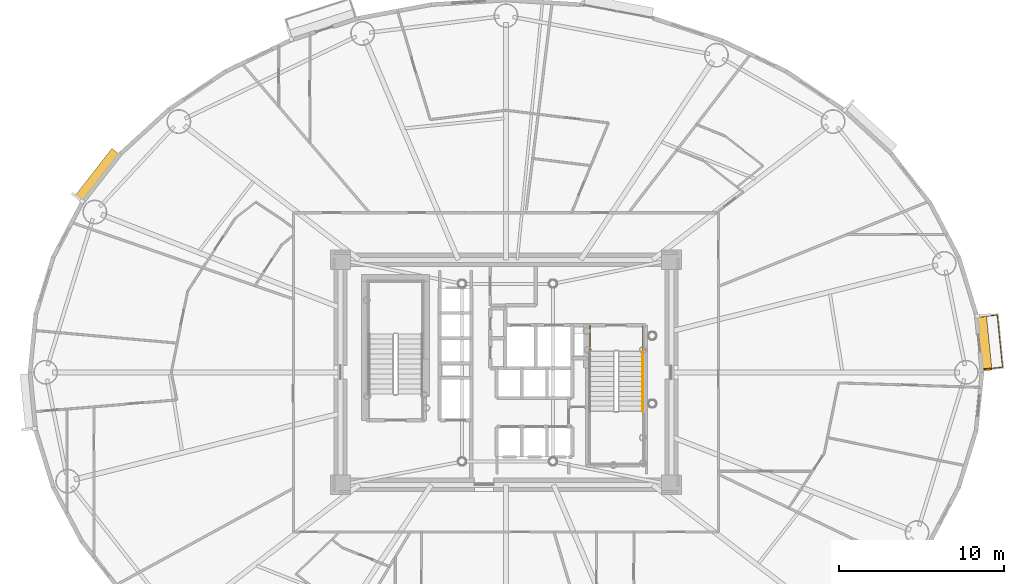
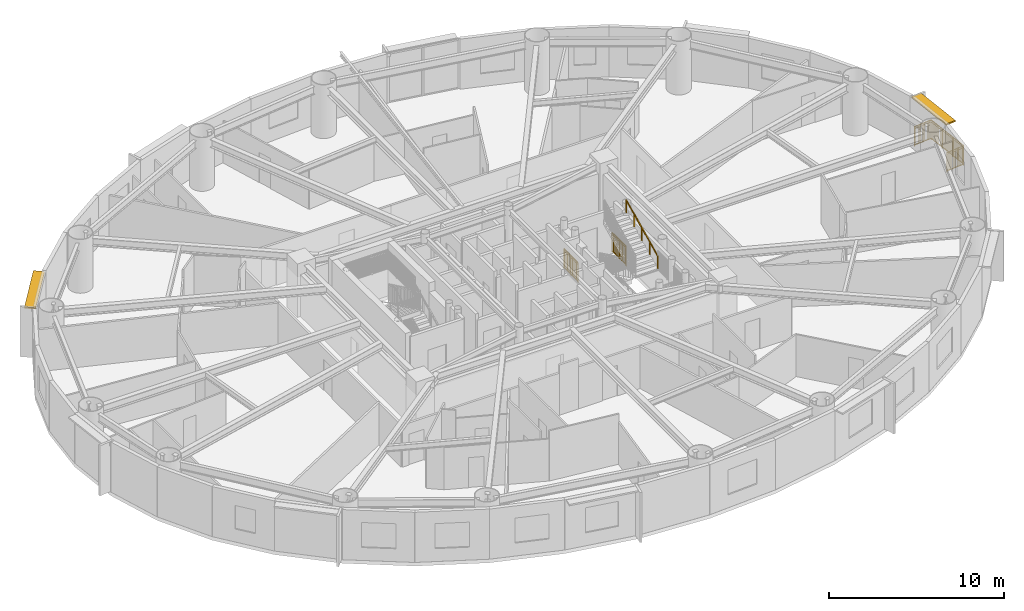
# One storey, part 17 of 18: 4 railings, 2 shading devices.
"""IFC4 building model written with IfcOpenShell, lengths in metres."""

from ifc_helpers import new_model, si_unit, direction, frame, origin, origin_2d, place, context, subcontext, project, spatial, rectangle, extrude, source, transform, mapped, material, layer, layer_set, type_object, element, save


model = new_model("IFC4")

# Units and contexts
model_context = context("Model", 3, precision=1e-05, world=origin(), true_north=direction((0.0, 1.0)))
body_context = subcontext(model_context, "Body", "Model", "MODEL_VIEW")
ifc_project = project(units=[si_unit("LENGTHUNIT", "METRE"), si_unit("AREAUNIT", "SQUARE_METRE"), si_unit("VOLUMEUNIT", "CUBIC_METRE"), si_unit("PLANEANGLEUNIT", "RADIAN"), si_unit("MASSUNIT", "GRAM", prefix="KILO")], contexts=[model_context])

# Site, building, storey
site_placement = place(None, origin())
site = spatial("IfcSite", under=ifc_project, at=site_placement, CompositionType="ELEMENT")
building_placement = place(site_placement, origin())
building = spatial("IfcBuilding", under=site, at=building_placement, Name="Linh Dai School and Residence Tower", CompositionType="ELEMENT")
storey_placement = place(building_placement, frame((0.0, 0.0, 104.699951171875)))
storey = spatial("IfcBuildingStorey", under=building, at=storey_placement, Name="L24", CompositionType="ELEMENT", Elevation=104.699951171875)

# Railing
ifc_material_1 = material(Name="Structural Steel S355JR", Category="steel")
railing_type_1 = type_object("IfcRailingType", Name="RL-BAL-1400", PredefinedType="BALUSTRADE", material=ifc_material_1)
shared_shape_1 = source(origin(), body_context, "Body", "SweptSolid", [
    extrude(rectangle(XDim=0.048095703125, YDim=0.048095703125, at=origin_2d()), frame((0.0, 0.0, 1.3759765625), z_axis=(0.994994077886, 0.099933903019, 0.0), x_axis=(-0.099933903019, 0.994994077886, 0.0)), (0.0, 0.0, 1.0), 1.179931640625),
    extrude(rectangle(XDim=0.048095703125, YDim=0.048095703125, at=origin_2d()), frame((0.0, 0.0, 0.10009765625), z_axis=(0.994994077886, 0.099933903019, 0.0), x_axis=(-0.099933903019, 0.994994077886, 0.0)), (0.0, 0.0, 1.0), 1.179931640625),
    extrude(rectangle(XDim=0.030029296875, YDim=0.030029296875, at=origin_2d()), frame((0.0, 0.0, 1.239990234375), z_axis=(0.994994077886, 0.099933903019, 0.0), x_axis=(-0.099933903019, 0.994994077886, 0.0)), (0.0, 0.0, 1.0), 1.179931640625),
    extrude(rectangle(XDim=0.02001953125, YDim=0.02001953125, at=origin_2d()), frame((0.09033203125, 0.009033203125, 0.10009765625)), (0.0, 0.0, 1.0), 1.251708984375),
    extrude(rectangle(XDim=0.02001953125, YDim=0.02001953125, at=origin_2d()), frame((0.1806640625, 0.01806640625, 0.10009765625)), (0.0, 0.0, 1.0), 1.251708984375),
    extrude(rectangle(XDim=0.02001953125, YDim=0.02001953125, at=origin_2d()), frame((0.27099609375, 0.027099609375, 0.10009765625)), (0.0, 0.0, 1.0), 1.251708984375),
    extrude(rectangle(XDim=0.02001953125, YDim=0.02001953125, at=origin_2d()), frame((0.361328125, 0.036376953125, 0.10009765625)), (0.0, 0.0, 1.0), 1.251708984375),
    extrude(rectangle(XDim=0.02001953125, YDim=0.02001953125, at=origin_2d()), frame((0.45166015625, 0.04541015625, 0.10009765625)), (0.0, 0.0, 1.0), 1.251708984375),
    extrude(rectangle(XDim=0.02001953125, YDim=0.02001953125, at=origin_2d()), frame((0.5419921875, 0.054443359375, 0.10009765625)), (0.0, 0.0, 1.0), 1.251708984375),
    extrude(rectangle(XDim=0.02001953125, YDim=0.02001953125, at=origin_2d()), frame((0.632080078125, 0.0634765625, 0.10009765625)), (0.0, 0.0, 1.0), 1.251708984375),
    extrude(rectangle(XDim=0.02001953125, YDim=0.02001953125, at=origin_2d()), frame((0.722412109375, 0.072509765625, 0.10009765625)), (0.0, 0.0, 1.0), 1.251708984375),
    extrude(rectangle(XDim=0.02001953125, YDim=0.02001953125, at=origin_2d()), frame((0.812744140625, 0.08154296875, 0.10009765625)), (0.0, 0.0, 1.0), 1.251708984375),
    extrude(rectangle(XDim=0.02001953125, YDim=0.02001953125, at=origin_2d()), frame((0.903076171875, 0.0908203125, 0.10009765625)), (0.0, 0.0, 1.0), 1.251708984375),
    extrude(rectangle(XDim=0.02001953125, YDim=0.02001953125, at=origin_2d()), frame((0.993408203125, 0.099853515625, 0.10009765625)), (0.0, 0.0, 1.0), 1.251708984375),
    extrude(rectangle(XDim=0.02001953125, YDim=0.02001953125, at=origin_2d()), frame((1.083740234375, 0.10888671875, 0.10009765625)), (0.0, 0.0, 1.0), 1.251708984375),
    extrude(rectangle(XDim=0.048095703125, YDim=0.048095703125, at=origin_2d()), frame((1.174072265625, 0.117919921875, 1.3759765625), z_axis=(0.100029373588, -0.994984484512, 0.0), x_axis=(0.994984484512, 0.100029373588, 0.0)), (0.0, 0.0, 1.0), 3.1728515625),
    extrude(rectangle(XDim=0.048095703125, YDim=0.048095703125, at=origin_2d()), frame((1.174072265625, 0.117919921875, 0.10009765625), z_axis=(0.100029373588, -0.994984484512, 0.0), x_axis=(0.994984484512, 0.100029373588, 0.0)), (0.0, 0.0, 1.0), 3.1728515625),
    extrude(rectangle(XDim=0.030029296875, YDim=0.030029296875, at=origin_2d()), frame((1.174072265625, 0.117919921875, 1.239990234375), z_axis=(0.100029373588, -0.994984484512, 0.0), x_axis=(0.994984484512, 0.100029373588, 0.0)), (0.0, 0.0, 1.0), 3.1728515625),
    extrude(rectangle(XDim=0.02001953125, YDim=0.02001953125, at=origin_2d()), frame((1.18359375, 0.022216796875, 0.10009765625)), (0.0, 0.0, 1.0), 1.251708984375),
    extrude(rectangle(XDim=0.02001953125, YDim=0.02001953125, at=origin_2d()), frame((1.193359375, -0.073486328125, 0.10009765625)), (0.0, 0.0, 1.0), 1.251708984375),
    extrude(rectangle(XDim=0.02001953125, YDim=0.02001953125, at=origin_2d()), frame((1.202880859375, -0.169189453125, 0.10009765625)), (0.0, 0.0, 1.0), 1.251708984375),
    extrude(rectangle(XDim=0.02001953125, YDim=0.02001953125, at=origin_2d()), frame((1.212646484375, -0.2646484375, 0.10009765625)), (0.0, 0.0, 1.0), 1.251708984375),
    extrude(rectangle(XDim=0.02001953125, YDim=0.02001953125, at=origin_2d()), frame((1.22216796875, -0.3603515625, 0.10009765625)), (0.0, 0.0, 1.0), 1.251708984375),
    extrude(rectangle(XDim=0.02001953125, YDim=0.02001953125, at=origin_2d()), frame((1.231689453125, -0.4560546875, 0.10009765625)), (0.0, 0.0, 1.0), 1.251708984375),
    extrude(rectangle(XDim=0.02001953125, YDim=0.02001953125, at=origin_2d()), frame((1.241455078125, -0.5517578125, 0.10009765625)), (0.0, 0.0, 1.0), 1.251708984375),
    extrude(rectangle(XDim=0.02001953125, YDim=0.02001953125, at=origin_2d()), frame((1.2509765625, -0.6474609375, 0.10009765625)), (0.0, 0.0, 1.0), 1.251708984375),
    extrude(rectangle(XDim=0.02001953125, YDim=0.02001953125, at=origin_2d()), frame((1.2607421875, -0.7431640625, 0.10009765625)), (0.0, 0.0, 1.0), 1.251708984375),
    extrude(rectangle(XDim=0.02001953125, YDim=0.02001953125, at=origin_2d()), frame((1.270263671875, -0.838623046875, 0.10009765625)), (0.0, 0.0, 1.0), 1.251708984375),
    extrude(rectangle(XDim=0.02001953125, YDim=0.02001953125, at=origin_2d()), frame((1.28955078125, -1.030029296875, 0.10009765625)), (0.0, 0.0, 1.0), 1.251708984375),
    extrude(rectangle(XDim=0.02001953125, YDim=0.02001953125, at=origin_2d()), frame((1.299072265625, -1.125732421875, 0.10009765625)), (0.0, 0.0, 1.0), 1.251708984375),
    extrude(rectangle(XDim=0.02001953125, YDim=0.02001953125, at=origin_2d()), frame((1.308837890625, -1.221435546875, 0.10009765625)), (0.0, 0.0, 1.0), 1.251708984375),
    extrude(rectangle(XDim=0.02001953125, YDim=0.02001953125, at=origin_2d()), frame((1.318359375, -1.317138671875, 0.10009765625)), (0.0, 0.0, 1.0), 1.251708984375),
    extrude(rectangle(XDim=0.02001953125, YDim=0.02001953125, at=origin_2d()), frame((1.327880859375, -1.412841796875, 0.10009765625)), (0.0, 0.0, 1.0), 1.251708984375),
    extrude(rectangle(XDim=0.02001953125, YDim=0.02001953125, at=origin_2d()), frame((1.337646484375, -1.50830078125, 0.10009765625)), (0.0, 0.0, 1.0), 1.251708984375),
    extrude(rectangle(XDim=0.02001953125, YDim=0.02001953125, at=origin_2d()), frame((1.34716796875, -1.60400390625, 0.10009765625)), (0.0, 0.0, 1.0), 1.251708984375),
    extrude(rectangle(XDim=0.02001953125, YDim=0.02001953125, at=origin_2d()), frame((1.356689453125, -1.69970703125, 0.10009765625)), (0.0, 0.0, 1.0), 1.251708984375),
    extrude(rectangle(XDim=0.02001953125, YDim=0.02001953125, at=origin_2d()), frame((1.366455078125, -1.79541015625, 0.10009765625)), (0.0, 0.0, 1.0), 1.251708984375),
    extrude(rectangle(XDim=0.02001953125, YDim=0.02001953125, at=origin_2d()), frame((1.3759765625, -1.89111328125, 0.10009765625)), (0.0, 0.0, 1.0), 1.251708984375),
    extrude(rectangle(XDim=0.02001953125, YDim=0.02001953125, at=origin_2d()), frame((1.395263671875, -2.08251953125, 0.10009765625)), (0.0, 0.0, 1.0), 1.251708984375),
    extrude(rectangle(XDim=0.02001953125, YDim=0.02001953125, at=origin_2d()), frame((1.40478515625, -2.177978515625, 0.10009765625)), (0.0, 0.0, 1.0), 1.251708984375),
    extrude(rectangle(XDim=0.02001953125, YDim=0.02001953125, at=origin_2d()), frame((1.41455078125, -2.273681640625, 0.10009765625)), (0.0, 0.0, 1.0), 1.251708984375),
    extrude(rectangle(XDim=0.02001953125, YDim=0.02001953125, at=origin_2d()), frame((1.424072265625, -2.369384765625, 0.10009765625)), (0.0, 0.0, 1.0), 1.251708984375),
    extrude(rectangle(XDim=0.02001953125, YDim=0.02001953125, at=origin_2d()), frame((1.433837890625, -2.465087890625, 0.10009765625)), (0.0, 0.0, 1.0), 1.251708984375),
    extrude(rectangle(XDim=0.02001953125, YDim=0.02001953125, at=origin_2d()), frame((1.443359375, -2.560791015625, 0.10009765625)), (0.0, 0.0, 1.0), 1.251708984375),
    extrude(rectangle(XDim=0.02001953125, YDim=0.02001953125, at=origin_2d()), frame((1.452880859375, -2.656494140625, 0.10009765625)), (0.0, 0.0, 1.0), 1.251708984375),
    extrude(rectangle(XDim=0.02001953125, YDim=0.02001953125, at=origin_2d()), frame((1.462646484375, -2.751953125, 0.10009765625)), (0.0, 0.0, 1.0), 1.251708984375),
    extrude(rectangle(XDim=0.02001953125, YDim=0.02001953125, at=origin_2d()), frame((1.47216796875, -2.84765625, 0.10009765625)), (0.0, 0.0, 1.0), 1.251708984375),
    extrude(rectangle(XDim=0.02001953125, YDim=0.02001953125, at=origin_2d()), frame((1.48193359375, -2.943359375, 0.10009765625)), (0.0, 0.0, 1.0), 1.251708984375),
    extrude(rectangle(XDim=0.048095703125, YDim=0.048095703125, at=origin_2d()), frame((1.491455078125, -3.0390625, 1.3759765625), z_axis=(-0.99497348416, -0.100138732862, 0.0), x_axis=(0.100138732862, -0.99497348416, 0.0)), (0.0, 0.0, 1.0), 1.179931640625),
    extrude(rectangle(XDim=0.048095703125, YDim=0.048095703125, at=origin_2d()), frame((1.491455078125, -3.0390625, 0.10009765625), z_axis=(-0.99497348416, -0.100138732862, 0.0), x_axis=(0.100138732862, -0.99497348416, 0.0)), (0.0, 0.0, 1.0), 1.179931640625),
    extrude(rectangle(XDim=0.030029296875, YDim=0.030029296875, at=origin_2d()), frame((1.491455078125, -3.0390625, 1.239990234375), z_axis=(-0.99497348416, -0.100138732862, 0.0), x_axis=(0.100138732862, -0.99497348416, 0.0)), (0.0, 0.0, 1.0), 1.179931640625),
    extrude(rectangle(XDim=0.02001953125, YDim=0.02001953125, at=origin_2d()), frame((1.401123046875, -3.048095703125, 0.10009765625)), (0.0, 0.0, 1.0), 1.251708984375),
    extrude(rectangle(XDim=0.02001953125, YDim=0.02001953125, at=origin_2d()), frame((1.310791015625, -3.05712890625, 0.10009765625)), (0.0, 0.0, 1.0), 1.251708984375),
    extrude(rectangle(XDim=0.02001953125, YDim=0.02001953125, at=origin_2d()), frame((1.220458984375, -3.06640625, 0.10009765625)), (0.0, 0.0, 1.0), 1.251708984375),
    extrude(rectangle(XDim=0.02001953125, YDim=0.02001953125, at=origin_2d()), frame((1.130126953125, -3.075439453125, 0.10009765625)), (0.0, 0.0, 1.0), 1.251708984375),
    extrude(rectangle(XDim=0.02001953125, YDim=0.02001953125, at=origin_2d()), frame((1.039794921875, -3.08447265625, 0.10009765625)), (0.0, 0.0, 1.0), 1.251708984375),
    extrude(rectangle(XDim=0.02001953125, YDim=0.02001953125, at=origin_2d()), frame((0.949462890625, -3.093505859375, 0.10009765625)), (0.0, 0.0, 1.0), 1.251708984375),
    extrude(rectangle(XDim=0.02001953125, YDim=0.02001953125, at=origin_2d()), frame((0.859375, -3.102783203125, 0.10009765625)), (0.0, 0.0, 1.0), 1.251708984375),
    extrude(rectangle(XDim=0.02001953125, YDim=0.02001953125, at=origin_2d()), frame((0.76904296875, -3.11181640625, 0.10009765625)), (0.0, 0.0, 1.0), 1.251708984375),
    extrude(rectangle(XDim=0.02001953125, YDim=0.02001953125, at=origin_2d()), frame((0.6787109375, -3.120849609375, 0.10009765625)), (0.0, 0.0, 1.0), 1.251708984375),
    extrude(rectangle(XDim=0.02001953125, YDim=0.02001953125, at=origin_2d()), frame((0.58837890625, -3.1298828125, 0.10009765625)), (0.0, 0.0, 1.0), 1.251708984375),
    extrude(rectangle(XDim=0.02001953125, YDim=0.02001953125, at=origin_2d()), frame((0.498046875, -3.13916015625, 0.10009765625)), (0.0, 0.0, 1.0), 1.251708984375),
    extrude(rectangle(XDim=0.02001953125, YDim=0.02001953125, at=origin_2d()), frame((0.40771484375, -3.148193359375, 0.10009765625)), (0.0, 0.0, 1.0), 1.251708984375),
    extrude(rectangle(XDim=0.0419921875, YDim=0.0419921875, at=origin_2d()), origin(), (0.0, 0.0, 1.0), 1.3759765625),
    extrude(rectangle(XDim=0.0419921875, YDim=0.0419921875, at=origin_2d()), frame((1.174072265625, 0.117919921875, 0.0)), (0.0, 0.0, 1.0), 1.3759765625),
    extrude(rectangle(XDim=0.0419921875, YDim=0.0419921875, at=origin_2d()), frame((1.27978515625, -0.934326171875, 0.0)), (0.0, 0.0, 1.0), 1.3759765625),
    extrude(rectangle(XDim=0.0419921875, YDim=0.0419921875, at=origin_2d()), frame((1.3857421875, -1.98681640625, 0.0)), (0.0, 0.0, 1.0), 1.3759765625),
    extrude(rectangle(XDim=0.0419921875, YDim=0.0419921875, at=origin_2d()), frame((1.491455078125, -3.0390625, 0.0)), (0.0, 0.0, 1.0), 1.3759765625),
    extrude(rectangle(XDim=0.0419921875, YDim=0.0419921875, at=origin_2d()), frame((0.3173828125, -3.1572265625, 0.0)), (0.0, 0.0, 1.0), 1.3759765625),
])
railing_1_placement = place(storey_placement, frame((64.524169921875, 30.3447265625, 0.0)))
element("IfcRailing", 1, at=railing_1_placement, inside=storey, type_object=railing_type_1, Name="L24 Balcony Safety Balustrade 01", PredefinedType="BALUSTRADE", context=body_context, shape_type="MappedRepresentation", body=[
    mapped(shared_shape_1, transform((0.0, 0.0, 0.0), x_axis=(1.0, 0.0, 0.0), y_axis=(0.0, 1.0, 0.0), z_axis=(0.0, 0.0, 1.0), scale=1.0)),
])

# Shading devices
ifc_material_2 = material(Name="Terracotta Ceramic Sunshade", Category="masonry")
ifc_layer = layer(ifc_material_2, 0.10009765625)
ifc_layer_set = layer_set([ifc_layer], Name="Terracotta Ceramic Sunshade")
shading_device_type = type_object("IfcShadingDeviceType", Name="SHD-TC-650", PredefinedType="USERDEFINED", material=ifc_layer_set)
shared_shape_2 = source(origin(), body_context, "Body", "SweptSolid", [
    extrude(rectangle(XDim=3.3916015625, YDim=0.64990234375, at=origin_2d()), origin(), (0.0, 0.0, 1.0), 0.10009765625),
])
shading_device_1_placement = place(storey_placement, frame((64.8818359375, 28.7861328125, 3.3798828125), z_axis=(0.0, 0.0, 1.0), x_axis=(0.100007297192, -0.994986703684, 0.0)))
element("IfcShadingDevice", 2, at=shading_device_1_placement, inside=storey, type_object=shading_device_type, Name="L24 Terracotta Horizontal Sunshade Band 01", ObjectType="SUNSHADE", PredefinedType="USERDEFINED", context=body_context, shape_type="MappedRepresentation", body=[
    mapped(shared_shape_2, transform((0.0, 0.0, 0.0), x_axis=(1.0, 0.0, 0.0), y_axis=(0.0, 1.0, 0.0), z_axis=(0.0, 0.0, 1.0), scale=1.0)),
])
shared_shape_3 = source(origin(), body_context, "Body", "SweptSolid", [
    extrude(rectangle(XDim=3.67041015625, YDim=0.64990234375, at=origin_2d()), origin(), (0.0, 0.0, 1.0), 0.10009765625),
])
shading_device_2_placement = place(storey_placement, frame((11.308349609375, 38.88671875, 3.3798828125), z_axis=(0.0, 0.0, 1.0), x_axis=(0.616305017583, 0.787507539838, 0.0)))
element("IfcShadingDevice", 3, at=shading_device_2_placement, inside=storey, type_object=shading_device_type, Name="L24 Terracotta Horizontal Sunshade Band 17", ObjectType="SUNSHADE", PredefinedType="USERDEFINED", context=body_context, shape_type="MappedRepresentation", body=[
    mapped(shared_shape_3, transform((0.0, 0.0, 0.0), x_axis=(1.0, 0.0, 0.0), y_axis=(0.0, 1.0, 0.0), z_axis=(0.0, 0.0, 1.0), scale=1.0)),
])

# Railings
ifc_material_3 = material(Name="Brushed Stainless Steel Handrail", Category="steel")
railing_type_2 = type_object("IfcRailingType", Name="RL-ST-HANDRAIL-900", PredefinedType="HANDRAIL", material=ifc_material_3)
shared_shape_4 = source(origin(), body_context, "Body", "SweptSolid", [
    extrude(rectangle(XDim=0.048095703125, YDim=0.048095703125, at=origin_2d()), frame((0.0, 0.0, 0.8759765625), z_axis=(0.0, 0.901262522062, 0.433273431364), x_axis=(-1.0, 0.0, 0.0)), (0.0, 0.0, 1.0), 3.994384765625),
    extrude(rectangle(XDim=0.0419921875, YDim=0.0419921875, at=origin_2d()), origin(), (0.0, 0.0, 1.0), 0.8759765625),
    extrude(rectangle(XDim=0.0419921875, YDim=0.0419921875, at=origin_2d()), frame((0.0, 0.89990234375, 0.4326171875)), (0.0, 0.0, 1.0), 0.8759765625),
    extrude(rectangle(XDim=0.0419921875, YDim=0.0419921875, at=origin_2d()), frame((0.0, 1.800048828125, 0.865234375)), (0.0, 0.0, 1.0), 0.8759765625),
    extrude(rectangle(XDim=0.0419921875, YDim=0.0419921875, at=origin_2d()), frame((0.0, 2.7001953125, 1.298095703125)), (0.0, 0.0, 1.0), 0.8759765625),
    extrude(rectangle(XDim=0.0419921875, YDim=0.0419921875, at=origin_2d()), frame((0.0, 3.60009765625, 1.730712890625)), (0.0, 0.0, 1.0), 0.8759765625),
])
railing_2_placement = place(storey_placement, frame((44.27001953125, 24.64990234375, 2.019287109375)))
element("IfcRailing", 4, at=railing_2_placement, inside=storey, type_object=railing_type_2, Name="L24 ST2 stair handrail 2", PredefinedType="HANDRAIL", context=body_context, shape_type="MappedRepresentation", body=[
    mapped(shared_shape_4, transform((0.0, 0.0, 0.0), x_axis=(1.0, 0.0, 0.0), y_axis=(0.0, 1.0, 0.0), z_axis=(0.0, 0.0, 1.0), scale=1.0)),
])
railing_type_3 = type_object("IfcRailingType", Name="RL-ST-GUARD-1400", PredefinedType="GUARDRAIL", material=ifc_material_1)
shared_shape_5 = source(origin(), body_context, "Body", "SweptSolid", [
    extrude(rectangle(XDim=0.048095703125, YDim=0.048095703125, at=origin_2d()), frame((0.0, 0.0, 1.3759765625), z_axis=(0.0, -1.0, 0.0), x_axis=(1.0, 0.0, 0.0)), (0.0, 0.0, 1.0), 1.60009765625),
    extrude(rectangle(XDim=0.048095703125, YDim=0.048095703125, at=origin_2d()), frame((0.0, 0.0, 0.10009765625), z_axis=(0.0, -1.0, 0.0), x_axis=(1.0, 0.0, 0.0)), (0.0, 0.0, 1.0), 1.60009765625),
    extrude(rectangle(XDim=0.030029296875, YDim=0.030029296875, at=origin_2d()), frame((0.0, 0.0, 1.239990234375), z_axis=(0.0, -1.0, 0.0), x_axis=(1.0, 0.0, 0.0)), (0.0, 0.0, 1.0), 1.60009765625),
    extrude(rectangle(XDim=0.02001953125, YDim=0.02001953125, at=origin_2d()), frame((0.0, -0.09423828125, 0.10009765625)), (0.0, 0.0, 1.0), 1.251708984375),
    extrude(rectangle(XDim=0.02001953125, YDim=0.02001953125, at=origin_2d()), frame((0.0, -0.188232421875, 0.10009765625)), (0.0, 0.0, 1.0), 1.251708984375),
    extrude(rectangle(XDim=0.02001953125, YDim=0.02001953125, at=origin_2d()), frame((0.0, -0.282470703125, 0.10009765625)), (0.0, 0.0, 1.0), 1.251708984375),
    extrude(rectangle(XDim=0.02001953125, YDim=0.02001953125, at=origin_2d()), frame((0.0, -0.37646484375, 0.10009765625)), (0.0, 0.0, 1.0), 1.251708984375),
    extrude(rectangle(XDim=0.02001953125, YDim=0.02001953125, at=origin_2d()), frame((0.0, -0.470703125, 0.10009765625)), (0.0, 0.0, 1.0), 1.251708984375),
    extrude(rectangle(XDim=0.02001953125, YDim=0.02001953125, at=origin_2d()), frame((0.0, -0.564697265625, 0.10009765625)), (0.0, 0.0, 1.0), 1.251708984375),
    extrude(rectangle(XDim=0.02001953125, YDim=0.02001953125, at=origin_2d()), frame((0.0, -0.658935546875, 0.10009765625)), (0.0, 0.0, 1.0), 1.251708984375),
    extrude(rectangle(XDim=0.02001953125, YDim=0.02001953125, at=origin_2d()), frame((0.0, -0.7529296875, 0.10009765625)), (0.0, 0.0, 1.0), 1.251708984375),
    extrude(rectangle(XDim=0.02001953125, YDim=0.02001953125, at=origin_2d()), frame((0.0, -0.84716796875, 0.10009765625)), (0.0, 0.0, 1.0), 1.251708984375),
    extrude(rectangle(XDim=0.02001953125, YDim=0.02001953125, at=origin_2d()), frame((0.0, -0.941162109375, 0.10009765625)), (0.0, 0.0, 1.0), 1.251708984375),
    extrude(rectangle(XDim=0.02001953125, YDim=0.02001953125, at=origin_2d()), frame((0.0, -1.035400390625, 0.10009765625)), (0.0, 0.0, 1.0), 1.251708984375),
    extrude(rectangle(XDim=0.02001953125, YDim=0.02001953125, at=origin_2d()), frame((0.0, -1.12939453125, 0.10009765625)), (0.0, 0.0, 1.0), 1.251708984375),
    extrude(rectangle(XDim=0.02001953125, YDim=0.02001953125, at=origin_2d()), frame((0.0, -1.2236328125, 0.10009765625)), (0.0, 0.0, 1.0), 1.251708984375),
    extrude(rectangle(XDim=0.02001953125, YDim=0.02001953125, at=origin_2d()), frame((0.0, -1.317626953125, 0.10009765625)), (0.0, 0.0, 1.0), 1.251708984375),
    extrude(rectangle(XDim=0.02001953125, YDim=0.02001953125, at=origin_2d()), frame((0.0, -1.411865234375, 0.10009765625)), (0.0, 0.0, 1.0), 1.251708984375),
    extrude(rectangle(XDim=0.02001953125, YDim=0.02001953125, at=origin_2d()), frame((0.0, -1.505859375, 0.10009765625)), (0.0, 0.0, 1.0), 1.251708984375),
    extrude(rectangle(XDim=0.0419921875, YDim=0.0419921875, at=origin_2d()), origin(), (0.0, 0.0, 1.0), 1.3759765625),
    extrude(rectangle(XDim=0.0419921875, YDim=0.0419921875, at=origin_2d()), frame((0.0, -0.800048828125, 0.0)), (0.0, 0.0, 1.0), 1.3759765625),
    extrude(rectangle(XDim=0.0419921875, YDim=0.0419921875, at=origin_2d()), frame((0.0, -1.60009765625, 0.0)), (0.0, 0.0, 1.0), 1.3759765625),
])
for number, where, name in (
    (5, (41.070068359375, 29.85009765625, 0.0), "L24 ST2 stair guard 8"),
    (6, (44.27001953125, 29.85009765625, 0.0), "L24 ST2 stair guard 9"),
):
    element("IfcRailing", number, at=place(storey_placement, frame(where)), inside=storey, type_object=railing_type_3, Name=name, PredefinedType="GUARDRAIL", context=body_context, shape_type="MappedRepresentation", body=[
        mapped(shared_shape_5, transform((0.0, 0.0, 0.0), x_axis=(1.0, 0.0, 0.0), y_axis=(0.0, 1.0, 0.0), z_axis=(0.0, 0.0, 1.0), scale=1.0)),
    ])

save(model, "model.ifc")
